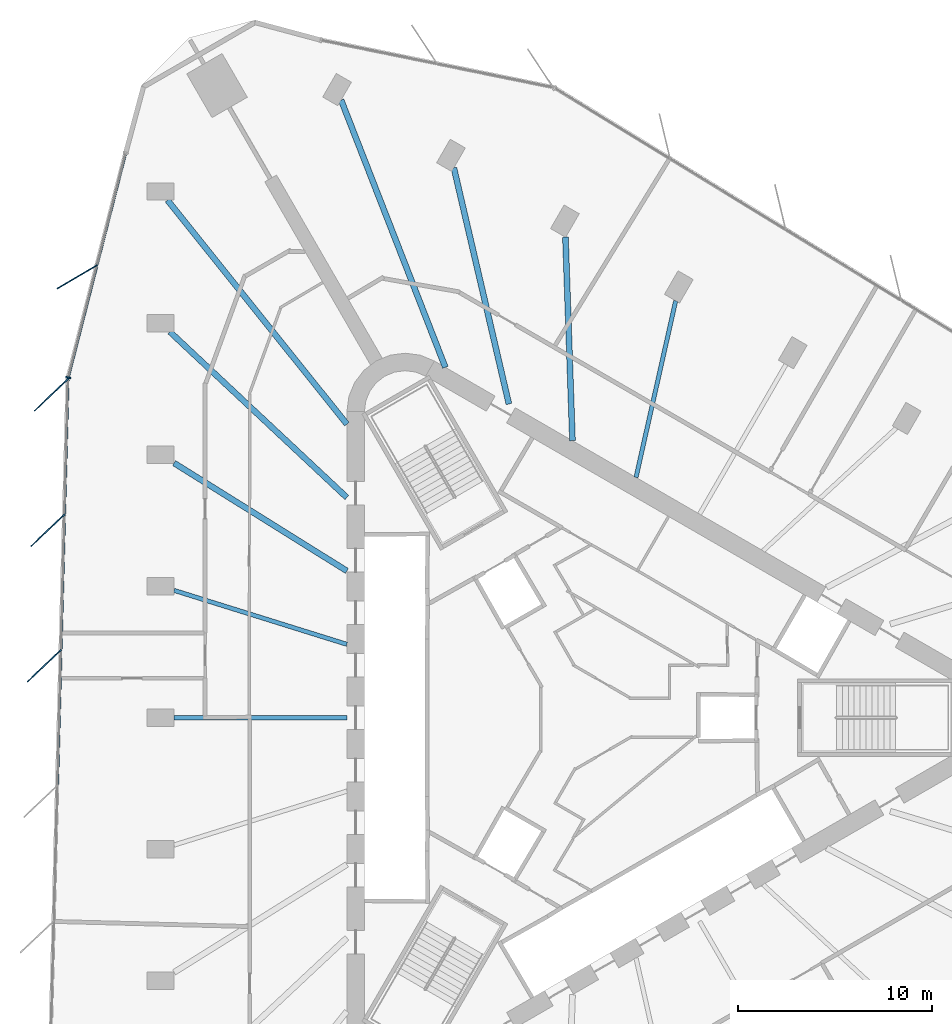
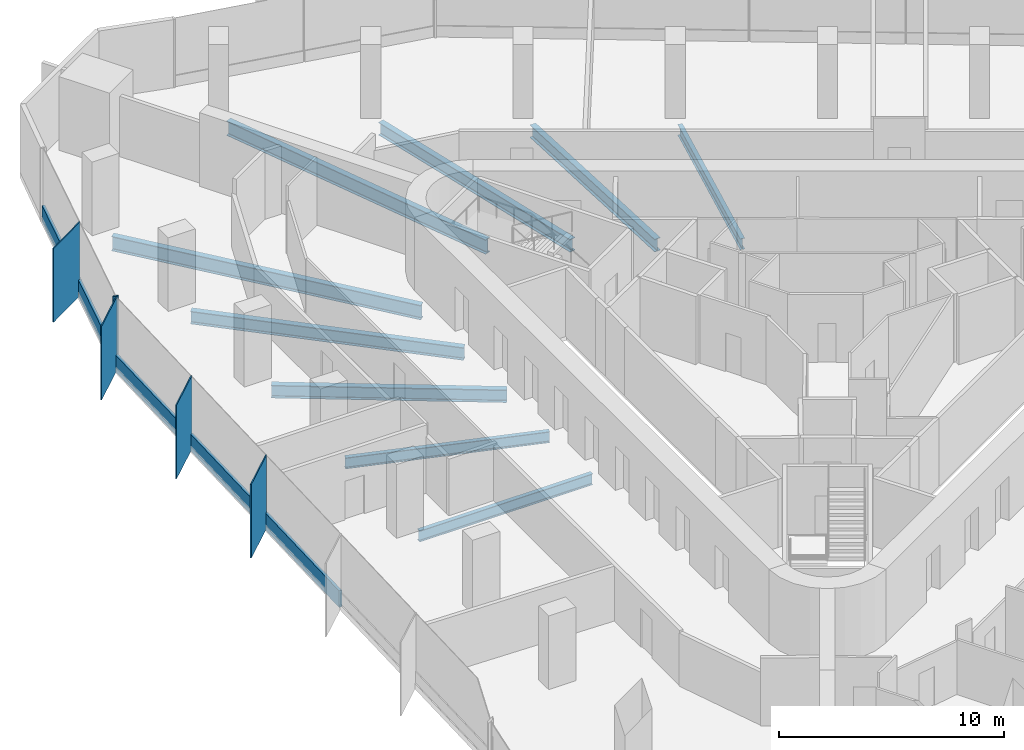
# One storey, part 4 of 14: 10 members, 9 beams, 2 elements without a shape of their own.
"""IFC4 building model written with IfcOpenShell, lengths in metres."""

from ifc_helpers import new_model, si_unit, direction, frame, origin, origin_2d, place, context, subcontext, project, spatial, rectangle, i_section, extrude, material, material_profile, profile_set, type_object, element, aggregate, save


model = new_model("IFC4")

# Units and contexts
model_context = context("Model", 3, precision=1e-05, world=origin(), true_north=direction((0.0, 1.0)))
body_context = subcontext(model_context, "Body", "Model", "MODEL_VIEW")
ifc_project = project(units=[si_unit("LENGTHUNIT", "METRE"), si_unit("AREAUNIT", "SQUARE_METRE"), si_unit("VOLUMEUNIT", "CUBIC_METRE"), si_unit("PLANEANGLEUNIT", "RADIAN"), si_unit("MASSUNIT", "GRAM", prefix="KILO")], contexts=[model_context])

# Site, building, storey
site_placement = place(None, origin())
site = spatial("IfcSite", under=ifc_project, at=site_placement, CompositionType="ELEMENT")
building_placement = place(site_placement, origin())
building = spatial("IfcBuilding", under=site, at=building_placement, Name="Tanit Gate Tower", CompositionType="ELEMENT")
storey_placement = place(building_placement, frame((0.0, 0.0, 245.199951171875)))
storey = spatial("IfcBuildingStorey", under=building, at=storey_placement, Name="L55", CompositionType="ELEMENT", Elevation=245.199951171875)

# Curtain wall, member
ifc_material_1 = material(Name="Aluminium bronze anodised and glass", Category="aluminium")
curtain_wall_type = type_object("IfcCurtainWallType", Name="Curtain wall typical mid", PredefinedType="NOTDEFINED", material=ifc_material_1)
curtain_wall_1_placement = place(storey_placement, origin())
curtain_wall_1 = element("IfcCurtainWall", 1, at=curtain_wall_1_placement, inside=storey, type_object=curtain_wall_type, Name="Curtain wall L55 W1", PredefinedType="NOTDEFINED")
ifc_material_2 = material(Name="Aluminium bronze anodised", Category="aluminium")
ifc_material_profile_1 = material_profile(ifc_material_2, rectangle(XDim=2.39990234375, YDim=0.055908203125, at=origin_2d()), Name="56x2400 bronze fin mullion")
ifc_profile_set_1 = profile_set([ifc_material_profile_1], Name="Aluminium bronze anodised")
member_type_1 = type_object("IfcMemberType", Name="FIN MULLION 56x2400 bronze", PredefinedType="MULLION", material=ifc_profile_set_1)
member_1_placement = place(storey_placement, frame((-25.981689453125, 22.691162109375, -0.300048828125), z_axis=(0.0, 0.0, 1.0), x_axis=(0.860365518231, 0.509677520633, 0.0)))
member_1 = element("IfcMember", 2, at=member_1_placement, type_object=member_type_1, Name="Fin mullion L55 W1.2", PredefinedType="MULLION", context=body_context, shape_type="SweptSolid", body=[
    extrude(rectangle(XDim=2.39990234375, YDim=0.055908203125, at=origin_2d()), origin(), (0.0, 0.0, 1.0), 4.0),
])

# Curtain wall, members
curtain_wall_2_placement = place(storey_placement, origin())
curtain_wall_2 = element("IfcCurtainWall", 3, at=curtain_wall_2_placement, inside=storey, type_object=curtain_wall_type, Name="Curtain wall L55 W2", PredefinedType="NOTDEFINED")
member_2_placement = place(storey_placement, frame((-27.3134765625, 16.618408203125, -0.300048828125), z_axis=(0.0, 0.0, 1.0), x_axis=(0.725200158595, 0.688538110764, 0.0)))
member_2 = element("IfcMember", 4, at=member_2_placement, type_object=member_type_1, Name="Fin mullion L55 W2.1", PredefinedType="MULLION", context=body_context, shape_type="SweptSolid", body=[
    extrude(rectangle(XDim=2.39990234375, YDim=0.055908203125, at=origin_2d()), origin(), (0.0, 0.0, 1.0), 4.0),
])
member_3_placement = place(storey_placement, frame((-27.494384765625, 9.646728515625, -0.300048828125), z_axis=(0.0, 0.0, 1.0), x_axis=(0.725200158595, 0.688538110764, 0.0)))
member_3 = element("IfcMember", 5, at=member_3_placement, type_object=member_type_1, Name="Fin mullion L55 W2.2", PredefinedType="MULLION", context=body_context, shape_type="SweptSolid", body=[
    extrude(rectangle(XDim=2.39990234375, YDim=0.055908203125, at=origin_2d()), origin(), (0.0, 0.0, 1.0), 4.0),
])
member_4_placement = place(storey_placement, frame((-27.67529296875, 2.6748046875, -0.300048828125), z_axis=(0.0, 0.0, 1.0), x_axis=(0.725200158595, 0.688538110764, 0.0)))
member_4 = element("IfcMember", 6, at=member_4_placement, type_object=member_type_1, Name="Fin mullion L55 W2.3", PredefinedType="MULLION", context=body_context, shape_type="SweptSolid", body=[
    extrude(rectangle(XDim=2.39990234375, YDim=0.055908203125, at=origin_2d()), origin(), (0.0, 0.0, 1.0), 4.0),
])

# Member
ifc_material_3 = material(Name="Aluminium bronze anodised", Category="aluminium")
ifc_material_profile_2 = material_profile(ifc_material_3, rectangle(XDim=0.260009765625, YDim=0.080078125, at=origin_2d()), Name="80x260 bronze mullion")
ifc_profile_set_2 = profile_set([ifc_material_profile_2], Name="Aluminium bronze anodised")
member_type_2 = type_object("IfcMemberType", Name="Mullion 80x260 typical mid", PredefinedType="MULLION", material=ifc_profile_set_2)
member_5_placement = place(storey_placement, frame((-26.44775390625, 17.5087890625, -0.300048828125), z_axis=(0.0, 0.0, 1.0), x_axis=(0.968766723298, -0.247973861182, 0.0)))
member_5 = element("IfcMember", 7, at=member_5_placement, type_object=member_type_2, Name="Mullion L55 W1.3", PredefinedType="MULLION", context=body_context, shape_type="SweptSolid", body=[
    extrude(rectangle(XDim=0.260009765625, YDim=0.080078125, at=origin_2d()), origin(), (0.0, 0.0, 1.0), 4.0),
])

# Beams
ifc_material_4 = material(Name="Steel S355", Category="steel")
ifc_material_profile_3 = material_profile(ifc_material_4, i_section(OverallWidth=0.300048828125, OverallDepth=0.68994140625, WebThickness=0.014404296875, FlangeThickness=0.027099609375, FilletRadius=0.027099609375, at=origin_2d()), Name="HEA 700")
ifc_profile_set_3 = profile_set([ifc_material_profile_3], Name="Steel S355")
beam_type_1 = type_object("IfcBeamType", Name="RADIAL GIRDER HEA 700 S355", PredefinedType="BEAM", material=ifc_profile_set_3)
beam_1_placement = place(storey_placement, frame((-0.8525390625, 24.733154296875, -0.64501953125), z_axis=(0.034449440127, -0.999406441882, 0.0), x_axis=(0.999406441882, 0.034449440127, 0.0)))
element("IfcBeam", 8, at=beam_1_placement, inside=storey, type_object=beam_type_1, Name="RADIAL GIRDER", PredefinedType="BEAM", context=body_context, shape_type="SweptSolid", body=[
    extrude(i_section(OverallWidth=0.300048828125, OverallDepth=0.68994140625, WebThickness=0.014404296875, FlangeThickness=0.027099609375, FilletRadius=0.027099609375, at=origin_2d()), origin(), (0.0, 0.0, 1.0), 10.4814453125),
])
beam_2_placement = place(storey_placement, frame((-6.595458984375, 28.30224609375, -0.64501953125), z_axis=(0.226957535876, -0.973904654938, 0.0), x_axis=(0.973904654938, 0.226957535876, 0.0)))
element("IfcBeam", 9, at=beam_2_placement, inside=storey, type_object=beam_type_1, Name="RADIAL GIRDER", PredefinedType="BEAM", context=body_context, shape_type="SweptSolid", body=[
    extrude(i_section(OverallWidth=0.300048828125, OverallDepth=0.68994140625, WebThickness=0.014404296875, FlangeThickness=0.027099609375, FilletRadius=0.027099609375, at=origin_2d()), origin(), (0.0, 0.0, 1.0), 12.4814453125),
])
beam_3_placement = place(storey_placement, frame((-21.212646484375, 19.86279296875, -0.64501953125), z_axis=(0.729943944241, -0.683507014058, 0.0), x_axis=(0.683507014058, 0.729943944241, 0.0)))
element("IfcBeam", 10, at=beam_3_placement, inside=storey, type_object=beam_type_1, Name="RADIAL GIRDER", PredefinedType="BEAM", context=body_context, shape_type="SweptSolid", body=[
    extrude(i_section(OverallWidth=0.300048828125, OverallDepth=0.68994140625, WebThickness=0.014404296875, FlangeThickness=0.027099609375, FilletRadius=0.027099609375, at=origin_2d()), origin(), (0.0, 0.0, 1.0), 12.481201171875),
])
beam_4_placement = place(storey_placement, frame((-20.993408203125, 13.10498046875, -0.64501953125), z_axis=(0.848289986152, -0.52953196258, 0.0), x_axis=(0.52953196258, 0.848289986152, 0.0)))
element("IfcBeam", 11, at=beam_4_placement, inside=storey, type_object=beam_type_1, Name="RADIAL GIRDER", PredefinedType="BEAM", context=body_context, shape_type="SweptSolid", body=[
    extrude(i_section(OverallWidth=0.300048828125, OverallDepth=0.68994140625, WebThickness=0.014404296875, FlangeThickness=0.027099609375, FilletRadius=0.027099609375, at=origin_2d()), origin(), (0.0, 0.0, 1.0), 10.4814453125),
])
ifc_material_5 = material(Name="Steel S355", Category="steel")
ifc_material_profile_4 = material_profile(ifc_material_5, i_section(OverallWidth=0.300048828125, OverallDepth=0.7900390625, WebThickness=0.014892578125, FlangeThickness=0.028076171875, FilletRadius=0.030029296875, at=origin_2d()), Name="HEA 800")
ifc_profile_set_4 = profile_set([ifc_material_profile_4], Name="Steel S355")
beam_type_2 = type_object("IfcBeamType", Name="RADIAL GIRDER HEA 800 S355", PredefinedType="BEAM", material=ifc_profile_set_4)
for number, where, z_axis, x_axis, name in (
    (12, (-12.399169921875, 31.791748046875, -0.695068359375), (0.363354891864, -0.931650805054, 0.0), (0.931650805054, 0.363354891864, 0.0), "RADIAL GIRDER"),
    (13, (-21.3330078125, 26.6337890625, -0.695068359375), (0.625158701972, -0.780497660053, 0.0), (0.780497660053, 0.625158701972, 0.0), "RADIAL GIRDER"),
):
    element("IfcBeam", number, at=place(storey_placement, frame(where, z_axis=z_axis, x_axis=x_axis)), inside=storey, type_object=beam_type_2, Name=name, PredefinedType="BEAM", context=body_context, shape_type="SweptSolid", body=[
        extrude(i_section(OverallWidth=0.300048828125, OverallDepth=0.7900390625, WebThickness=0.014892578125, FlangeThickness=0.028076171875, FilletRadius=0.030029296875, at=origin_2d()), origin(), (0.0, 0.0, 1.0), 14.765869140625),
    ])
ifc_material_6 = material(Name="Steel S355", Category="steel")
ifc_material_profile_5 = material_profile(ifc_material_6, i_section(OverallWidth=0.219970703125, OverallDepth=0.60009765625, WebThickness=0.011962890625, FlangeThickness=0.01904296875, FilletRadius=0.02392578125, at=origin_2d()), Name="IPE 600")
ifc_profile_set_5 = profile_set([ifc_material_profile_5], Name="Steel S355")
beam_type_3 = type_object("IfcBeamType", Name="RADIAL GIRDER IPE 600 S355", PredefinedType="BEAM", material=ifc_profile_set_5)
beam_5_placement = place(storey_placement, frame((4.822021484375, 21.456787109375, -0.599853515625), z_axis=(-0.219263945234, -0.975665579141, 0.0), x_axis=(0.975665579141, -0.219263945234, 0.0)))
element("IfcBeam", 14, at=beam_5_placement, inside=storey, type_object=beam_type_3, Name="RADIAL GIRDER", PredefinedType="BEAM", context=body_context, shape_type="SweptSolid", body=[
    extrude(i_section(OverallWidth=0.219970703125, OverallDepth=0.60009765625, WebThickness=0.011962890625, FlangeThickness=0.01904296875, FilletRadius=0.02392578125, at=origin_2d()), origin(), (0.0, 0.0, 1.0), 9.31396484375),
])
beam_6_placement = place(storey_placement, frame((-20.993408203125, 6.552490234375, -0.599853515625), z_axis=(0.954583925113, -0.297942158674, 0.0), x_axis=(0.297942158674, 0.954583925113, 0.0)))
element("IfcBeam", 15, at=beam_6_placement, inside=storey, type_object=beam_type_3, Name="RADIAL GIRDER", PredefinedType="BEAM", context=body_context, shape_type="SweptSolid", body=[
    extrude(i_section(OverallWidth=0.219970703125, OverallDepth=0.60009765625, WebThickness=0.011962890625, FlangeThickness=0.01904296875, FilletRadius=0.02392578125, at=origin_2d()), origin(), (0.0, 0.0, 1.0), 9.314453125),
])
beam_7_placement = place(storey_placement, frame((-20.993408203125, 0.0, -0.599853515625), z_axis=(1.0, 0.0, 0.0), x_axis=(0.0, 1.0, 0.0)))
element("IfcBeam", 16, at=beam_7_placement, inside=storey, type_object=beam_type_3, Name="RADIAL GIRDER", PredefinedType="BEAM", context=body_context, shape_type="SweptSolid", body=[
    extrude(i_section(OverallWidth=0.219970703125, OverallDepth=0.60009765625, WebThickness=0.011962890625, FlangeThickness=0.01904296875, FilletRadius=0.02392578125, at=origin_2d()), origin(), (0.0, 0.0, 1.0), 8.891357421875),
])

# Member
ifc_material_7 = material(Name="Aluminium bronze anodised", Category="aluminium")
ifc_material_profile_6 = material_profile(ifc_material_7, rectangle(XDim=0.139892578125, YDim=0.89990234375, at=origin_2d()), Name="140x900 bronze transom")
ifc_profile_set_6 = profile_set([ifc_material_profile_6], Name="Aluminium bronze anodised")
member_type_3 = type_object("IfcMemberType", Name="Transom 140x900 typical mid", PredefinedType="USERDEFINED", material=ifc_profile_set_6)
member_6_placement = place(storey_placement, frame((-23.4970703125, 29.03662109375, 0.150146484375), z_axis=(-0.247964441486, -0.968769134396, 0.0), x_axis=(0.968769134396, -0.247964441486, 0.0)))
member_6 = element("IfcMember", 17, at=member_6_placement, type_object=member_type_3, Name="Transom L55 W1.1", ObjectType="TRANSOM", PredefinedType="USERDEFINED", context=body_context, shape_type="SweptSolid", body=[
    extrude(rectangle(XDim=0.139892578125, YDim=0.89990234375, at=origin_2d()), origin(), (0.0, 0.0, 1.0), 5.8896484375),
])

member_7_placement = place(storey_placement, frame((-24.977294921875, 23.253173828125, 0.150146484375), z_axis=(-0.247974399427, -0.968766585525, 0.0), x_axis=(0.968766585525, -0.247974399427, 0.0)))
member_7 = element("IfcMember", 18, at=member_7_placement, type_object=member_type_3, Name="Transom L55 W1.2", ObjectType="TRANSOM", PredefinedType="USERDEFINED", context=body_context, shape_type="SweptSolid", body=[
    extrude(rectangle(XDim=0.139892578125, YDim=0.89990234375, at=origin_2d()), origin(), (0.0, 0.0, 1.0), 5.889404296875),
])

aggregate(curtain_wall_1, [member_1, member_5, member_6, member_7])

member_8_placement = place(storey_placement, frame((-26.459716796875, 17.39013671875, 0.150146484375), z_axis=(-0.025922066799, -0.999663966767, 0.0), x_axis=(0.999663966767, -0.025922066799, 0.0)))
member_8 = element("IfcMember", 19, at=member_8_placement, type_object=member_type_3, Name="Transom L55 W2.1", ObjectType="TRANSOM", PredefinedType="USERDEFINED", context=body_context, shape_type="SweptSolid", body=[
    extrude(rectangle(XDim=0.139892578125, YDim=0.89990234375, at=origin_2d()), origin(), (0.0, 0.0, 1.0), 6.89404296875),
])

member_9_placement = place(storey_placement, frame((-26.640625, 10.418212890625, 0.150146484375), z_axis=(-0.025922984492, -0.99966394297, 0.0), x_axis=(0.99966394297, -0.025922984492, 0.0)))
member_9 = element("IfcMember", 20, at=member_9_placement, type_object=member_type_3, Name="Transom L55 W2.2", ObjectType="TRANSOM", PredefinedType="USERDEFINED", context=body_context, shape_type="SweptSolid", body=[
    extrude(rectangle(XDim=0.139892578125, YDim=0.89990234375, at=origin_2d()), origin(), (0.0, 0.0, 1.0), 6.893798828125),
])

member_10_placement = place(storey_placement, frame((-26.8212890625, 3.446533203125, 0.150146484375), z_axis=(-0.025922066799, -0.999663966767, 0.0), x_axis=(0.999663966767, -0.025922066799, 0.0)))
member_10 = element("IfcMember", 21, at=member_10_placement, type_object=member_type_3, Name="Transom L55 W2.3", ObjectType="TRANSOM", PredefinedType="USERDEFINED", context=body_context, shape_type="SweptSolid", body=[
    extrude(rectangle(XDim=0.139892578125, YDim=0.89990234375, at=origin_2d()), origin(), (0.0, 0.0, 1.0), 6.89404296875),
])

aggregate(curtain_wall_2, [member_2, member_3, member_4, member_8, member_9, member_10])

save(model, "model.ifc")
